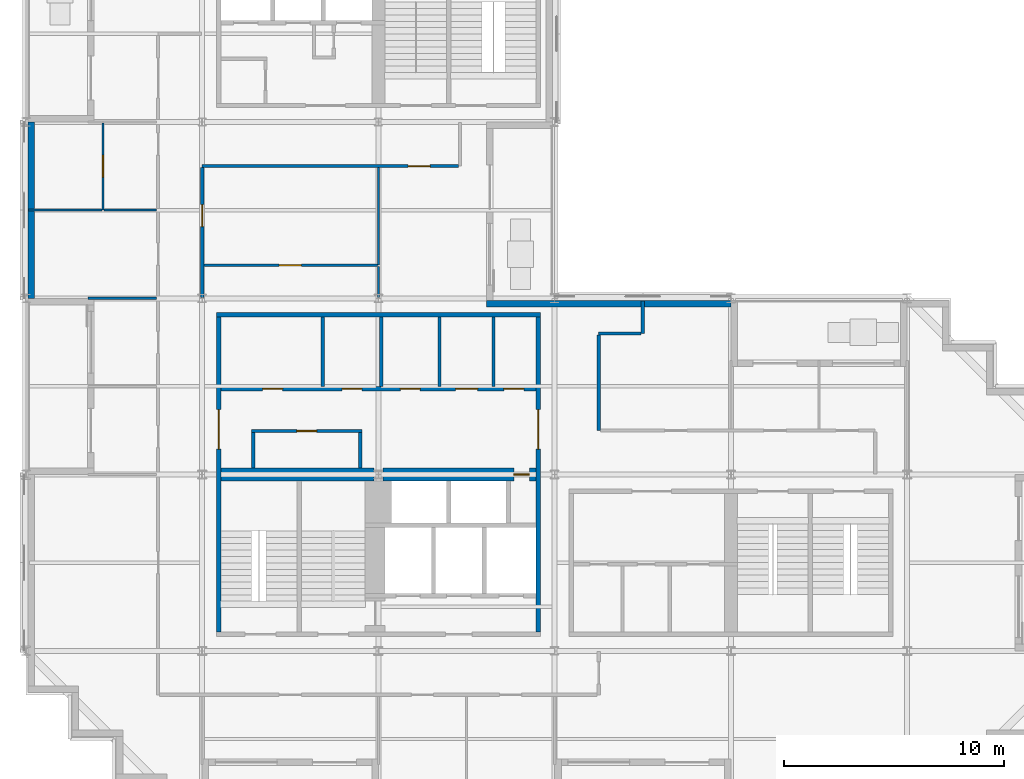
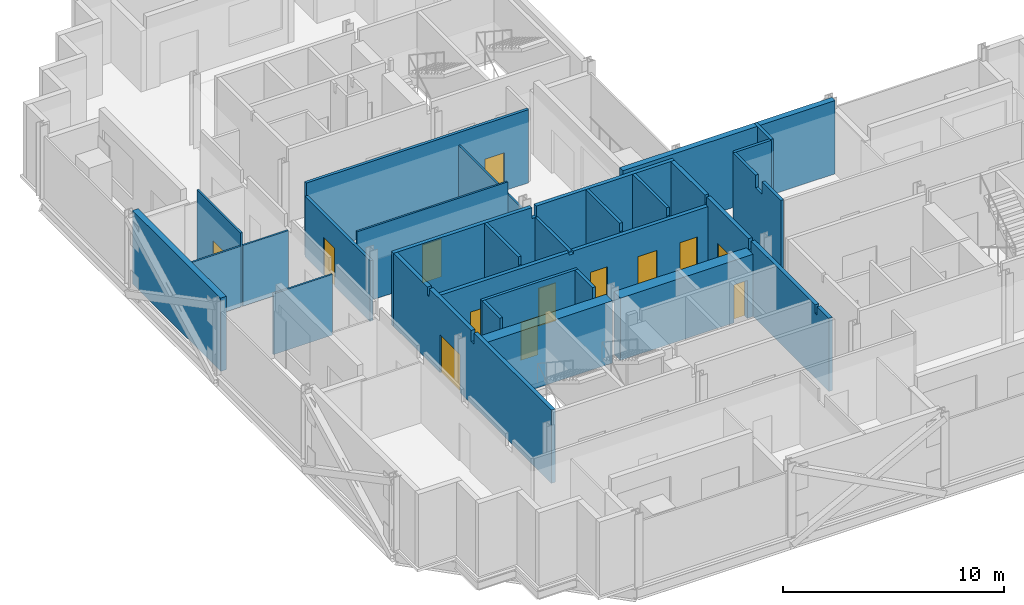
# One storey, part 6 of 12: 27 walls, 13 doors, 13 openings.
"""IFC4 building model written with IfcOpenShell, lengths in metres."""

from ifc_helpers import new_model, si_unit, direction, frame, frame_2d, origin, place, context, subcontext, project, spatial, polyline, rectangle, outline, extrude, material, layer, layer_set, type_object, element, fill, save


model = new_model("IFC4")

# Units and contexts
model_context = context("Model", 3, precision=1e-05, world=origin(), true_north=direction((0.0, 1.0)))
body_context = subcontext(model_context, "Body", "Model", "MODEL_VIEW")
ifc_project = project(units=[si_unit("LENGTHUNIT", "METRE"), si_unit("AREAUNIT", "SQUARE_METRE"), si_unit("VOLUMEUNIT", "CUBIC_METRE"), si_unit("PLANEANGLEUNIT", "RADIAN"), si_unit("MASSUNIT", "GRAM", prefix="KILO")], contexts=[model_context])

# Site, building, storey
site_placement = place(None, origin())
site = spatial("IfcSite", under=ifc_project, at=site_placement, CompositionType="ELEMENT")
building_placement = place(site_placement, origin())
building = spatial("IfcBuilding", under=site, at=building_placement, Name="Immortelle Media Tower", CompositionType="ELEMENT")
storey_placement = place(building_placement, frame((0.0, 0.0, 153.60009765625)))
storey = spatial("IfcBuildingStorey", under=building, at=storey_placement, Name="L31", CompositionType="ELEMENT", Elevation=153.60009765625)

# Wall, opening, door
ifc_material_1 = material(Name="Fire-rated masonry blockwork", Category="masonry")
ifc_layer_1 = layer(ifc_material_1, 0.60009765625)
ifc_layer_set_1 = layer_set([ifc_layer_1], Name="Fire-rated masonry blockwork")
wall_type_1 = type_object("IfcWallType", Name="Core grid-line wall 600", PredefinedType="PARTITIONING", material=ifc_layer_set_1)
wall_1_placement = place(storey_placement, frame((16.20947265625, 16.0, 0.0), z_axis=(0.0, 0.0, 1.0), x_axis=(1.0, 0.0, 0.0)))
wall_1 = element("IfcWall", 1, at=wall_1_placement, inside=storey, type_object=wall_type_1, Name="Core grid-line wall SW", PredefinedType="PARTITIONING", context=body_context, shape_type="SweptSolid", body=[
    extrude(rectangle(XDim=6.9404296875, YDim=0.60009765625, at=frame_2d((3.47021484375, 0.0))), origin(), (0.0, 0.0, 1.0), 3.44189453125),
])
opening_1_placement = place(wall_1_placement, frame((6.640380859375, 0.0, 0.0), z_axis=(0.0, 0.0, 1.0), x_axis=(-1.0, 0.0, 0.0)))
opening_1 = element("IfcOpeningElement", 2, at=opening_1_placement, cuts=wall_1, Name="Opening C3-K015", PredefinedType="OPENING", context=body_context, shape_type="SweptSolid", body=[
    extrude(rectangle(XDim=0.699951171875, YDim=2.10009765625, at=frame_2d((0.35009765625, 1.050048828125))), frame((0.0, 0.31005859375, 0.0), z_axis=(0.0, -1.0, 0.0), x_axis=(1.0, 0.0, 0.0)), (0.0, 0.0, 1.0), 0.6201171875),
])
ifc_material_2 = material(Name="Galvanised steel door leaf and frame ASTM A653", Category="steel")
door_type_1 = type_object("IfcDoorType", Name="Service door 700 x 2100", OperationType="NOTDEFINED", PredefinedType="NOTDEFINED", material=ifc_material_2)
door_1_placement = place(opening_1_placement, origin())
door_1 = element("IfcDoor", 3, at=door_1_placement, inside=storey, type_object=door_type_1, Name="Service C3-K015", OperationType="SINGLE_SWING_RIGHT", OverallHeight=2.10009765625, OverallWidth=0.699951171875, PredefinedType="NOTDEFINED", context=body_context, shape_type="SweptSolid", body=[
    extrude(rectangle(XDim=0.699951171875, YDim=2.10009765625, at=frame_2d((0.35009765625, 1.050048828125))), frame((0.0, 0.02490234375, 0.0), z_axis=(0.0, -1.0, 0.0), x_axis=(1.0, 0.0, 0.0)), (0.0, 0.0, 1.0), 0.050048828125),
])
fill(opening_1, door_1)

# Wall
ifc_material_3 = material(Name="Fire-rated gypsum board", Category="gypsum")
ifc_layer_2 = layer(ifc_material_3, 0.02490234375)
ifc_material_4 = material(Name="Steel ASTM A653 SS Gr 50 stud frame with mineral wool", Category="steel")
ifc_layer_3 = layer(ifc_material_4, 0.10009765625)
ifc_layer_4 = layer(ifc_material_3, 0.02490234375)
ifc_layer_set_2 = layer_set([ifc_layer_2, ifc_layer_3, ifc_layer_4], Name="Steel ASTM A653 SS Gr 50 stud frame with mineral wool")
wall_type_2 = type_object("IfcWallType", Name="Core partition 150", PredefinedType="PARTITIONING", material=ifc_layer_set_2)
wall_2_placement = place(storey_placement, frame((10.324951171875, 16.300048828125, 0.0), z_axis=(0.0, 0.0, 1.0), x_axis=(0.0, 1.0, 0.0)))
element("IfcWall", 4, at=wall_2_placement, inside=storey, type_object=wall_type_2, Name="Core partition SW", PredefinedType="PARTITIONING", context=body_context, shape_type="SweptSolid", body=[
    extrude(rectangle(XDim=1.599853515625, YDim=0.14990234375, at=frame_2d((0.7998046875, 0.0))), origin(), (0.0, 0.0, 1.0), 4.0498046875),
])

# Wall, opening, door
wall_3_placement = place(storey_placement, frame((10.25, 17.97509765625, 0.0), z_axis=(0.0, 0.0, 1.0), x_axis=(1.0, 0.0, 0.0)))
wall_3 = element("IfcWall", 5, at=wall_3_placement, inside=storey, type_object=wall_type_2, Name="Core partition SW", PredefinedType="PARTITIONING", context=body_context, shape_type="SweptSolid", body=[
    extrude(rectangle(XDim=5.0, YDim=0.14990234375, at=frame_2d((2.5, 0.0))), origin(), (0.0, 0.0, 1.0), 4.0498046875),
])
opening_2_placement = place(wall_3_placement, frame((2.949951171875, 0.0, 0.0), z_axis=(0.0, 0.0, 1.0), x_axis=(-1.0, 0.0, 0.0)))
opening_2 = element("IfcOpeningElement", 6, at=opening_2_placement, cuts=wall_3, Name="Opening C3-K004", PredefinedType="OPENING", context=body_context, shape_type="SweptSolid", body=[
    extrude(rectangle(XDim=0.89990234375, YDim=2.10009765625, at=frame_2d((0.449951171875, 1.050048828125))), frame((0.0, 0.0849609375, 0.0), z_axis=(0.0, -1.0, 0.0), x_axis=(1.0, 0.0, 0.0)), (0.0, 0.0, 1.0), 0.169921875),
])
ifc_material_5 = material(Name="Timber", Category="wood")
door_type_2 = type_object("IfcDoorType", Name="Room door 900 x 2100", OperationType="NOTDEFINED", PredefinedType="NOTDEFINED", material=ifc_material_5)
door_2_placement = place(opening_2_placement, origin())
door_2 = element("IfcDoor", 7, at=door_2_placement, inside=storey, type_object=door_type_2, Name="Room C3-K004", OperationType="SINGLE_SWING_LEFT", OverallHeight=2.10009765625, OverallWidth=0.89990234375, PredefinedType="NOTDEFINED", context=body_context, shape_type="SweptSolid", body=[
    extrude(rectangle(XDim=0.89990234375, YDim=2.10009765625, at=frame_2d((0.449951171875, 1.050048828125))), frame((0.0, 0.02490234375, 0.0), z_axis=(0.0, -1.0, 0.0), x_axis=(1.0, 0.0, 0.0)), (0.0, 0.0, 1.0), 0.050048828125),
])
fill(opening_2, door_2)

# Walls
wall_4_placement = place(storey_placement, frame((13.47509765625, 20.0, 0.0), z_axis=(0.0, 0.0, 1.0), x_axis=(0.0, 1.0, 0.0)))
element("IfcWall", 8, at=wall_4_placement, inside=storey, type_object=wall_type_2, Name="Core partition SW", PredefinedType="PARTITIONING", context=body_context, shape_type="SweptSolid", body=[
    extrude(outline(polyline([(0.0, 0.0), (3.14990234375, 0.0), (3.14990234375, 4.0498046875), (0.08154296875, 4.0498046875), (0.08056640625, 3.5888671875), (0.0, 3.5888671875), (0.0, 0.0)])), frame((0.0, 0.074951171875, 0.0), z_axis=(0.0, -1.0, 0.0), x_axis=(1.0, 0.0, 0.0)), (0.0, 0.0, 1.0), 0.14990234375),
])
wall_5_placement = place(storey_placement, frame((15.175048828125, 16.300048828125, 0.0), z_axis=(0.0, 0.0, 1.0), x_axis=(0.0, 1.0, 0.0)))
element("IfcWall", 9, at=wall_5_placement, inside=storey, type_object=wall_type_2, Name="Core partition SW", PredefinedType="PARTITIONING", context=body_context, shape_type="SweptSolid", body=[
    extrude(rectangle(XDim=1.599853515625, YDim=0.14990234375, at=frame_2d((0.7998046875, 0.0))), origin(), (0.0, 0.0, 1.0), 4.0498046875),
])
wall_6_placement = place(storey_placement, frame((16.125, 20.0, 0.0), z_axis=(0.0, 0.0, 1.0), x_axis=(0.0, 1.0, 0.0)))
element("IfcWall", 10, at=wall_6_placement, inside=storey, type_object=wall_type_2, Name="Core partition SW", PredefinedType="PARTITIONING", context=body_context, shape_type="SweptSolid", body=[
    extrude(rectangle(XDim=3.14990234375, YDim=0.14990234375, at=frame_2d((1.574951171875, 0.0))), origin(), (0.0, 0.0, 1.0), 3.44189453125),
])
for number, where, z_axis, x_axis, name in (
    (11, (18.77490234375, 20.0, 0.0), (0.0, 0.0, 1.0), (0.0, 1.0, 0.0), "Core partition SW"),
    (12, (21.22509765625, 20.0, 0.0), (0.0, 0.0, 1.0), (0.0, 1.0, 0.0), "Core partition SW"),
):
    element("IfcWall", number, at=place(storey_placement, frame(where, z_axis=z_axis, x_axis=x_axis)), inside=storey, type_object=wall_type_2, Name=name, PredefinedType="PARTITIONING", context=body_context, shape_type="SweptSolid", body=[
        extrude(outline(polyline([(0.0, 0.0), (3.14990234375, 0.0), (3.14990234375, 4.0498046875), (0.08154296875, 4.0498046875), (0.08056640625, 3.5888671875), (0.0, 3.5888671875), (0.0, 0.0)])), frame((0.0, 0.074951171875, 0.0), z_axis=(0.0, -1.0, 0.0), x_axis=(1.0, 0.0, 0.0)), (0.0, 0.0, 1.0), 0.14990234375),
    ])
ifc_layer_5 = layer(ifc_material_3, 0.03759765625)
ifc_layer_6 = layer(ifc_material_4, 0.125)
ifc_layer_7 = layer(ifc_material_3, 0.03759765625)
ifc_layer_set_3 = layer_set([ifc_layer_5, ifc_layer_6, ifc_layer_7], Name="Steel ASTM A653 SS Gr 50 stud frame with mineral wool")
wall_type_3 = type_object("IfcWallType", Name="Core shaft wall 200", PredefinedType="PARTITIONING", material=ifc_layer_set_3)
wall_7_placement = place(storey_placement, frame((8.64990234375, 23.25, 0.0), z_axis=(0.0, 0.0, 1.0), x_axis=(1.0, 0.0, 0.0)))
element("IfcWall", 13, at=wall_7_placement, inside=storey, type_object=wall_type_3, Name="Core shaft wall SW", PredefinedType="PARTITIONING", context=body_context, shape_type="SweptSolid", body=[
    extrude(outline(polyline([(0.0, 0.0), (14.7001953125, 0.0), (14.699951171875, 4.0498046875), (7.468994140625, 4.0498046875), (7.468017578125, 3.44189453125), (7.23193359375, 3.44189453125), (7.23095703125, 4.0498046875), (0.0, 4.0498046875), (0.0, 0.0)])), frame((0.0, 0.10009765625, 0.0), z_axis=(0.0, -1.0, 0.0), x_axis=(1.0, 0.0, 0.0)), (0.0, 0.0, 1.0), 0.199951171875),
])

# Wall, openings, doors
wall_8_placement = place(storey_placement, frame((8.85009765625, 19.89990234375, 0.0), z_axis=(0.0, 0.0, 1.0), x_axis=(1.0, 0.0, 0.0)))
wall_8 = element("IfcWall", 14, at=wall_8_placement, inside=storey, type_object=wall_type_3, Name="Core shaft wall SW", PredefinedType="PARTITIONING", context=body_context, shape_type="SweptSolid", body=[
    extrude(outline(polyline([(0.0, 0.0), (14.2998046875, 0.0), (14.300048828125, 3.5888671875), (7.26904296875, 3.5888671875), (7.26806640625, 3.44189453125), (7.031982421875, 3.44189453125), (7.031005859375, 3.5888671875), (0.0, 3.5888671875), (0.0, 0.0)])), frame((0.0, 0.10009765625, 0.0), z_axis=(0.0, -1.0, 0.0), x_axis=(1.0, 0.0, 0.0)), (0.0, 0.0, 1.0), 0.199951171875),
])
opening_3_placement = place(wall_8_placement, frame((1.89990234375, 0.0, 0.0)))
opening_3 = element("IfcOpeningElement", 15, at=opening_3_placement, cuts=wall_8, Name="Opening C3-K003", PredefinedType="OPENING", context=body_context, shape_type="SweptSolid", body=[
    extrude(rectangle(XDim=0.89990234375, YDim=2.10009765625, at=frame_2d((0.449951171875, 1.050048828125))), frame((0.0, 0.10986328125, 0.0), z_axis=(0.0, -1.0, 0.0), x_axis=(1.0, 0.0, 0.0)), (0.0, 0.0, 1.0), 0.219970703125),
])
opening_4_placement = place(wall_8_placement, frame((5.5, 0.0, 0.0)))
opening_4 = element("IfcOpeningElement", 16, at=opening_4_placement, cuts=wall_8, Name="Opening C3-K006", PredefinedType="OPENING", context=body_context, shape_type="SweptSolid", body=[
    extrude(rectangle(XDim=0.89990234375, YDim=2.10009765625, at=frame_2d((0.449951171875, 1.050048828125))), frame((0.0, 0.10986328125, 0.0), z_axis=(0.0, -1.0, 0.0), x_axis=(1.0, 0.0, 0.0)), (0.0, 0.0, 1.0), 0.219970703125),
])
opening_5_placement = place(wall_8_placement, frame((8.14990234375, 0.0, 0.0)))
opening_5 = element("IfcOpeningElement", 17, at=opening_5_placement, cuts=wall_8, Name="Opening C3-K009", PredefinedType="OPENING", context=body_context, shape_type="SweptSolid", body=[
    extrude(rectangle(XDim=0.89990234375, YDim=2.10009765625, at=frame_2d((0.449951171875, 1.050048828125))), frame((0.0, 0.10986328125, 0.0), z_axis=(0.0, -1.0, 0.0), x_axis=(1.0, 0.0, 0.0)), (0.0, 0.0, 1.0), 0.219970703125),
])
opening_6_placement = place(wall_8_placement, frame((10.64990234375, 0.0, 0.0)))
opening_6 = element("IfcOpeningElement", 18, at=opening_6_placement, cuts=wall_8, Name="Opening C3-K012", PredefinedType="OPENING", context=body_context, shape_type="SweptSolid", body=[
    extrude(rectangle(XDim=1.0, YDim=2.10009765625, at=frame_2d((0.5, 1.050048828125))), frame((0.0, 0.10986328125, 0.0), z_axis=(0.0, -1.0, 0.0), x_axis=(1.0, 0.0, 0.0)), (0.0, 0.0, 1.0), 0.219970703125),
])
opening_7_placement = place(wall_8_placement, frame((12.85009765625, 0.0, 0.0)))
opening_7 = element("IfcOpeningElement", 19, at=opening_7_placement, cuts=wall_8, Name="Opening C3-K014", PredefinedType="OPENING", context=body_context, shape_type="SweptSolid", body=[
    extrude(rectangle(XDim=0.89990234375, YDim=2.10009765625, at=frame_2d((0.449951171875, 1.050048828125))), frame((0.0, 0.10986328125, 0.0), z_axis=(0.0, -1.0, 0.0), x_axis=(1.0, 0.0, 0.0)), (0.0, 0.0, 1.0), 0.219970703125),
])
door_type_3 = type_object("IfcDoorType", Name="Accessible toilet door 1000 x 2100", OperationType="NOTDEFINED", PredefinedType="NOTDEFINED", material=ifc_material_5)
door_3_placement = place(opening_6_placement, origin())
door_3 = element("IfcDoor", 20, at=door_3_placement, inside=storey, type_object=door_type_3, Name="Accessible toilet C3-K012", OperationType="SINGLE_SWING_LEFT", OverallHeight=2.10009765625, OverallWidth=1.0, PredefinedType="NOTDEFINED", context=body_context, shape_type="SweptSolid", body=[
    extrude(rectangle(XDim=1.0, YDim=2.10009765625, at=frame_2d((0.5, 1.050048828125))), frame((0.0, 0.02490234375, 0.0), z_axis=(0.0, -1.0, 0.0), x_axis=(1.0, 0.0, 0.0)), (0.0, 0.0, 1.0), 0.050048828125),
])
fill(opening_6, door_3)
door_4_placement = place(opening_3_placement, origin())
door_4 = element("IfcDoor", 21, at=door_4_placement, inside=storey, type_object=door_type_2, Name="Room C3-K003", OperationType="SINGLE_SWING_LEFT", OverallHeight=2.10009765625, OverallWidth=0.89990234375, PredefinedType="NOTDEFINED", context=body_context, shape_type="SweptSolid", body=[
    extrude(rectangle(XDim=0.89990234375, YDim=2.10009765625, at=frame_2d((0.449951171875, 1.050048828125))), frame((0.0, 0.02490234375, 0.0), z_axis=(0.0, -1.0, 0.0), x_axis=(1.0, 0.0, 0.0)), (0.0, 0.0, 1.0), 0.050048828125),
])
fill(opening_3, door_4)
door_5_placement = place(opening_7_placement, origin())
door_5 = element("IfcDoor", 22, at=door_5_placement, inside=storey, type_object=door_type_2, Name="Room C3-K014", OperationType="SINGLE_SWING_LEFT", OverallHeight=2.10009765625, OverallWidth=0.89990234375, PredefinedType="NOTDEFINED", context=body_context, shape_type="SweptSolid", body=[
    extrude(rectangle(XDim=0.89990234375, YDim=2.10009765625, at=frame_2d((0.449951171875, 1.050048828125))), frame((0.0, 0.02490234375, 0.0), z_axis=(0.0, -1.0, 0.0), x_axis=(1.0, 0.0, 0.0)), (0.0, 0.0, 1.0), 0.050048828125),
])
fill(opening_7, door_5)
door_type_4 = type_object("IfcDoorType", Name="Toilet door 900 x 2100", OperationType="NOTDEFINED", PredefinedType="NOTDEFINED", material=ifc_material_5)
door_6_placement = place(opening_4_placement, origin())
door_6 = element("IfcDoor", 23, at=door_6_placement, inside=storey, type_object=door_type_4, Name="Toilet C3-K006", OperationType="SINGLE_SWING_RIGHT", OverallHeight=2.10009765625, OverallWidth=0.89990234375, PredefinedType="NOTDEFINED", context=body_context, shape_type="SweptSolid", body=[
    extrude(rectangle(XDim=0.89990234375, YDim=2.10009765625, at=frame_2d((0.449951171875, 1.050048828125))), frame((0.0, 0.02490234375, 0.0), z_axis=(0.0, -1.0, 0.0), x_axis=(1.0, 0.0, 0.0)), (0.0, 0.0, 1.0), 0.050048828125),
])
fill(opening_4, door_6)
door_7_placement = place(opening_5_placement, origin())
door_7 = element("IfcDoor", 24, at=door_7_placement, inside=storey, type_object=door_type_4, Name="Toilet C3-K009", OperationType="SINGLE_SWING_RIGHT", OverallHeight=2.10009765625, OverallWidth=0.89990234375, PredefinedType="NOTDEFINED", context=body_context, shape_type="SweptSolid", body=[
    extrude(rectangle(XDim=0.89990234375, YDim=2.10009765625, at=frame_2d((0.449951171875, 1.050048828125))), frame((0.0, 0.02490234375, 0.0), z_axis=(0.0, -1.0, 0.0), x_axis=(1.0, 0.0, 0.0)), (0.0, 0.0, 1.0), 0.050048828125),
])
fill(opening_5, door_7)

# Wall, opening, door
wall_9_placement = place(storey_placement, frame((23.25, 8.85009765625, 0.0), z_axis=(0.0, 0.0, 1.0), x_axis=(0.0, 1.0, 0.0)))
wall_9 = element("IfcWall", 25, at=wall_9_placement, inside=storey, type_object=wall_type_3, Name="Core shaft wall SW", PredefinedType="PARTITIONING", context=body_context, shape_type="SweptSolid", body=[
    extrude(outline(polyline([(0.0, 0.0), (14.2998046875, 0.0), (14.300048828125, 4.0498046875), (11.2314453125, 4.0498046875), (11.23046875, 3.5888671875), (11.069580078125, 3.5888671875), (11.068603515625, 4.0498046875), (7.26904296875, 4.0498046875), (7.26806640625, 3.44189453125), (7.031982421875, 3.44189453125), (7.031005859375, 4.0498046875), (1.2314453125, 4.0498046875), (1.23046875, 3.5888671875), (1.069580078125, 3.5888671875), (1.068603515625, 4.0498046875), (0.0, 4.0498046875), (0.0, 0.0)])), frame((0.0, 0.10009765625, 0.0), z_axis=(0.0, -1.0, 0.0), x_axis=(1.0, 0.0, 0.0)), (0.0, 0.0, 1.0), 0.199951171875),
])
opening_8_placement = place(wall_9_placement, frame((8.300048828125, 0.0, 0.0)))
opening_8 = element("IfcOpeningElement", 26, at=opening_8_placement, cuts=wall_9, Name="Opening C3-K016", PredefinedType="OPENING", context=body_context, shape_type="SweptSolid", body=[
    extrude(rectangle(XDim=1.800048828125, YDim=2.10009765625, at=frame_2d((0.89990234375, 1.050048828125))), frame((0.0, 0.10986328125, 0.0), z_axis=(0.0, -1.0, 0.0), x_axis=(1.0, 0.0, 0.0)), (0.0, 0.0, 1.0), 0.219970703125),
])
door_type_5 = type_object("IfcDoorType", Name="Lift lobby door 1800 x 2100", OperationType="DOUBLE_DOOR_SINGLE_SWING", PredefinedType="NOTDEFINED", material=ifc_material_2)
door_8_placement = place(opening_8_placement, origin())
door_8 = element("IfcDoor", 27, at=door_8_placement, inside=storey, type_object=door_type_5, Name="Lift lobby C3-K016", OperationType="DOUBLE_DOOR_SINGLE_SWING", OverallHeight=2.10009765625, OverallWidth=1.800048828125, PredefinedType="NOTDEFINED", context=body_context, shape_type="SweptSolid", body=[
    extrude(rectangle(XDim=1.800048828125, YDim=2.10009765625, at=frame_2d((0.89990234375, 1.050048828125))), frame((0.0, 0.02490234375, 0.0), z_axis=(0.0, -1.0, 0.0), x_axis=(1.0, 0.0, 0.0)), (0.0, 0.0, 1.0), 0.050048828125),
])
fill(opening_8, door_8)

# Walls
ifc_layer_8 = layer(ifc_material_3, 0.012451171875)
ifc_layer_9 = layer(ifc_material_4, 0.125)
ifc_layer_10 = layer(ifc_material_3, 0.012451171875)
ifc_layer_set_4 = layer_set([ifc_layer_8, ifc_layer_9, ifc_layer_10], Name="Steel ASTM A653 SS Gr 50 stud frame with mineral wool")
wall_type_4 = type_object("IfcWallType", Name="Corridor wall 150", PredefinedType="PARTITIONING", material=ifc_layer_set_4)
wall_10_placement = place(storey_placement, frame((26.0, 18.0, 0.0), z_axis=(0.0, 0.0, 1.0), x_axis=(0.0, 1.0, 0.0)))
element("IfcWall", 28, at=wall_10_placement, inside=storey, type_object=wall_type_4, Name="Partition L31-012", PredefinedType="PARTITIONING", context=body_context, shape_type="SweptSolid", body=[
    extrude(outline(polyline([(0.0, 0.0), (4.324951171875, 0.0), (4.324951171875, 4.0498046875), (2.300048828125, 4.0498046875), (2.298095703125, 3.35400390625), (1.701904296875, 3.35400390625), (1.699951171875, 4.0498046875), (0.0, 4.0498046875), (0.0, 0.0)])), frame((0.0, 0.074951171875, 0.0), z_axis=(0.0, -1.0, 0.0), x_axis=(1.0, 0.0, 0.0)), (0.0, 0.0, 1.0), 0.14990234375),
])
wall_11_placement = place(storey_placement, frame((26.0, 22.39990234375, 0.0), z_axis=(0.0, 0.0, 1.0), x_axis=(1.0, 0.0, 0.0)))
element("IfcWall", 29, at=wall_11_placement, inside=storey, type_object=wall_type_4, Name="Partition L31-016", PredefinedType="PARTITIONING", context=body_context, shape_type="SweptSolid", body=[
    extrude(rectangle(XDim=1.925048828125, YDim=0.14990234375, at=frame_2d((0.96240234375, 0.0))), origin(), (0.0, 0.0, 1.0), 4.0498046875),
])
wall_12_placement = place(storey_placement, frame((28.0, 22.39990234375, 0.0), z_axis=(0.0, 0.0, 1.0), x_axis=(0.0, 1.0, 0.0)))
element("IfcWall", 30, at=wall_12_placement, inside=storey, type_object=wall_type_4, Name="Partition L31-017", PredefinedType="PARTITIONING", context=body_context, shape_type="SweptSolid", body=[
    extrude(rectangle(XDim=1.47021484375, YDim=0.14990234375, at=frame_2d((0.735107421875, 0.0))), origin(), (0.0, 0.0, 1.0), 4.0498046875),
])

# Wall, opening, door
wall_13_placement = place(storey_placement, frame((8.0, 24.030029296875, 0.0), z_axis=(0.0, 0.0, 1.0), x_axis=(0.0, 1.0, 0.0)))
wall_13 = element("IfcWall", 31, at=wall_13_placement, inside=storey, type_object=wall_type_4, Name="Partition L31-019", PredefinedType="PARTITIONING", context=body_context, shape_type="SweptSolid", body=[
    extrude(rectangle(XDim=5.89501953125, YDim=0.14990234375, at=frame_2d((2.947509765625, 0.0))), origin(), (0.0, 0.0, 1.0), 3.35400390625),
])
opening_9_placement = place(wall_13_placement, frame((4.219970703125, 0.0, 0.0), z_axis=(0.0, 0.0, 1.0), x_axis=(-1.0, 0.0, 0.0)))
opening_9 = element("IfcOpeningElement", 32, at=opening_9_placement, cuts=wall_13, Name="Opening C3-F011", PredefinedType="OPENING", context=body_context, shape_type="SweptSolid", body=[
    extrude(rectangle(XDim=1.0, YDim=2.10009765625, at=frame_2d((0.5, 1.050048828125))), frame((0.0, 0.0849609375, 0.0), z_axis=(0.0, -1.0, 0.0), x_axis=(1.0, 0.0, 0.0)), (0.0, 0.0, 1.0), 0.169921875),
])
ifc_material_6 = material(Name="Timber veneered door leaf, galvanised steel frame ASTM A653", Category="steel")
door_type_6 = type_object("IfcDoorType", Name="Room door 1000 x 2100", OperationType="NOTDEFINED", PredefinedType="DOOR", material=ifc_material_6)
door_9_placement = place(opening_9_placement, origin())
door_9 = element("IfcDoor", 33, at=door_9_placement, inside=storey, type_object=door_type_6, Name="Door C3-F011", OperationType="SINGLE_SWING_LEFT", OverallHeight=2.10009765625, OverallWidth=1.0, PredefinedType="DOOR", context=body_context, shape_type="SweptSolid", body=[
    extrude(rectangle(XDim=1.0, YDim=2.10009765625, at=frame_2d((0.5, 1.050048828125))), frame((0.0, 0.02490234375, 0.0), z_axis=(0.0, -1.0, 0.0), x_axis=(1.0, 0.0, 0.0)), (0.0, 0.0, 1.0), 0.050048828125),
])
fill(opening_9, door_9)

wall_14_placement = place(storey_placement, frame((8.0, 30.0, 0.0), z_axis=(0.0, 0.0, 1.0), x_axis=(1.0, 0.0, 0.0)))
wall_14 = element("IfcWall", 34, at=wall_14_placement, inside=storey, type_object=wall_type_4, Name="Partition L31-026", PredefinedType="PARTITIONING", context=body_context, shape_type="SweptSolid", body=[
    extrude(rectangle(XDim=11.625, YDim=0.14990234375, at=frame_2d((5.8125, 0.0))), origin(), (0.0, 0.0, 1.0), 4.0498046875),
])
opening_10_placement = place(wall_14_placement, frame((10.35009765625, 0.0, 0.0), z_axis=(0.0, 0.0, 1.0), x_axis=(-1.0, 0.0, 0.0)))
opening_10 = element("IfcOpeningElement", 35, at=opening_10_placement, cuts=wall_14, Name="Opening C3-F013", PredefinedType="OPENING", context=body_context, shape_type="SweptSolid", body=[
    extrude(rectangle(XDim=1.0, YDim=2.10009765625, at=frame_2d((0.5, 1.050048828125))), frame((0.0, 0.0849609375, 0.0), z_axis=(0.0, -1.0, 0.0), x_axis=(1.0, 0.0, 0.0)), (0.0, 0.0, 1.0), 0.169921875),
])
door_10_placement = place(opening_10_placement, origin())
door_10 = element("IfcDoor", 36, at=door_10_placement, inside=storey, type_object=door_type_6, Name="Door C3-F013", OperationType="SINGLE_SWING_RIGHT", OverallHeight=2.10009765625, OverallWidth=1.0, PredefinedType="DOOR", context=body_context, shape_type="SweptSolid", body=[
    extrude(rectangle(XDim=1.0, YDim=2.10009765625, at=frame_2d((0.5, 1.050048828125))), frame((0.0, 0.02490234375, 0.0), z_axis=(0.0, -1.0, 0.0), x_axis=(1.0, 0.0, 0.0)), (0.0, 0.0, 1.0), 0.050048828125),
])
fill(opening_10, door_10)

# Walls
ifc_material_7 = material(Name="Pale aluminium cladding panel", Category="aluminium")
ifc_layer_11 = layer(ifc_material_7, 0.030029296875)
ifc_layer_12 = layer(ifc_material_4, 0.257568359375)
ifc_material_8 = material(Name="Moisture-resistant gypsum board", Category="gypsum")
ifc_layer_13 = layer(ifc_material_8, 0.012451171875)
ifc_layer_set_5 = layer_set([ifc_layer_11, ifc_layer_12, ifc_layer_13], Name="Steel ASTM A653 SS Gr 50 stud frame with mineral wool")
wall_type_5 = type_object("IfcWallType", Name="Facade wall 300", PredefinedType="SOLIDWALL", material=ifc_layer_set_5)
wall_15_placement = place(storey_placement, frame((32.0, 23.75, 0.0), z_axis=(0.0, 0.0, 1.0), x_axis=(-1.0, 0.0, 0.0)))
element("IfcWall", 37, at=wall_15_placement, inside=storey, type_object=wall_type_5, Name="Facade wall L31 N20", PredefinedType="SOLIDWALL", context=body_context, shape_type="SweptSolid", body=[
    extrude(rectangle(XDim=11.10009765625, YDim=0.300048828125, at=frame_2d((5.550048828125, 0.0))), origin(), (0.0, 0.0, 1.0), 4.0498046875),
])
wall_16_placement = place(storey_placement, frame((0.25, 32.0, 0.0), z_axis=(0.0, 0.0, 1.0), x_axis=(0.0, -1.0, 0.0)))
element("IfcWall", 38, at=wall_16_placement, inside=storey, type_object=wall_type_5, Name="Facade wall L31 W35", PredefinedType="SOLIDWALL", context=body_context, shape_type="SweptSolid", body=[
    extrude(rectangle(XDim=8.0, YDim=0.300048828125, at=frame_2d((4.0, 0.0))), origin(), (0.0, 0.0, 1.0), 4.0498046875),
])
ifc_material_9 = material(Name="Gypsum board", Category="gypsum")
ifc_layer_14 = layer(ifc_material_9, 0.012451171875)
ifc_layer_15 = layer(ifc_material_4, 0.074951171875)
ifc_layer_16 = layer(ifc_material_9, 0.012451171875)
ifc_layer_set_6 = layer_set([ifc_layer_14, ifc_layer_15, ifc_layer_16], Name="Steel ASTM A653 SS Gr 50 stud frame with mineral wool")
wall_type_6 = type_object("IfcWallType", Name="Partition 100", PredefinedType="PARTITIONING", material=ifc_layer_set_6)
wall_17_placement = place(storey_placement, frame((2.830078125, 24.0, 0.0), z_axis=(0.0, 0.0, 1.0), x_axis=(1.0, 0.0, 0.0)))
element("IfcWall", 39, at=wall_17_placement, inside=storey, type_object=wall_type_6, Name="Partition L31-018", PredefinedType="PARTITIONING", context=body_context, shape_type="SweptSolid", body=[
    extrude(rectangle(XDim=3.094970703125, YDim=0.10009765625, at=frame_2d((1.54736328125, 0.0))), origin(), (0.0, 0.0, 1.0), 3.35400390625),
])
wall_18_placement = place(storey_placement, frame((16.0, 24.030029296875, 0.0), z_axis=(0.0, 0.0, 1.0), x_axis=(0.0, 1.0, 0.0)))
element("IfcWall", 40, at=wall_18_placement, inside=storey, type_object=wall_type_6, Name="Partition L31-020", PredefinedType="PARTITIONING", context=body_context, shape_type="SweptSolid", body=[
    extrude(rectangle(XDim=1.419921875, YDim=0.10009765625, at=frame_2d((0.7099609375, 0.0))), origin(), (0.0, 0.0, 1.0), 3.35400390625),
])

# Wall, opening, door
wall_19_placement = place(storey_placement, frame((8.074951171875, 25.5, 0.0), z_axis=(0.0, 0.0, 1.0), x_axis=(1.0, 0.0, 0.0)))
wall_19 = element("IfcWall", 41, at=wall_19_placement, inside=storey, type_object=wall_type_6, Name="Partition L31-021", PredefinedType="PARTITIONING", context=body_context, shape_type="SweptSolid", body=[
    extrude(rectangle(XDim=7.875, YDim=0.10009765625, at=frame_2d((3.9375, 0.0))), origin(), (0.0, 0.0, 1.0), 4.0498046875),
])
opening_11_placement = place(wall_19_placement, frame((4.425048828125, 0.0, 0.0), z_axis=(0.0, 0.0, 1.0), x_axis=(-1.0, 0.0, 0.0)))
opening_11 = element("IfcOpeningElement", 42, at=opening_11_placement, cuts=wall_19, Name="Opening C3-F012", PredefinedType="OPENING", context=body_context, shape_type="SweptSolid", body=[
    extrude(rectangle(XDim=1.0, YDim=2.10009765625, at=frame_2d((0.5, 1.050048828125))), frame((0.0, 0.06005859375, 0.0), z_axis=(0.0, -1.0, 0.0), x_axis=(1.0, 0.0, 0.0)), (0.0, 0.0, 1.0), 0.1201171875),
])
door_11_placement = place(opening_11_placement, origin())
door_11 = element("IfcDoor", 43, at=door_11_placement, inside=storey, type_object=door_type_6, Name="Door C3-F012", OperationType="SINGLE_SWING_RIGHT", OverallHeight=2.10009765625, OverallWidth=1.0, PredefinedType="DOOR", context=body_context, shape_type="SweptSolid", body=[
    extrude(rectangle(XDim=1.0, YDim=2.10009765625, at=frame_2d((0.5, 1.050048828125))), frame((0.0, 0.02490234375, 0.0), z_axis=(0.0, -1.0, 0.0), x_axis=(1.0, 0.0, 0.0)), (0.0, 0.0, 1.0), 0.050048828125),
])
fill(opening_11, door_11)

# Walls
wall_20_placement = place(storey_placement, frame((16.0, 25.5, 0.0), z_axis=(0.0, 0.0, 1.0), x_axis=(0.0, 1.0, 0.0)))
element("IfcWall", 44, at=wall_20_placement, inside=storey, type_object=wall_type_6, Name="Partition L31-022", PredefinedType="PARTITIONING", context=body_context, shape_type="SweptSolid", body=[
    extrude(rectangle(XDim=4.425048828125, YDim=0.10009765625, at=frame_2d((2.21240234375, 0.0))), origin(), (0.0, 0.0, 1.0), 3.35400390625),
])
wall_21_placement = place(storey_placement, frame((0.1298828125, 28.0, 0.0), z_axis=(0.0, 0.0, 1.0), x_axis=(1.0, 0.0, 0.0)))
element("IfcWall", 45, at=wall_21_placement, inside=storey, type_object=wall_type_6, Name="Partition L31-023", PredefinedType="PARTITIONING", context=body_context, shape_type="SweptSolid", body=[
    extrude(rectangle(XDim=3.320068359375, YDim=0.10009765625, at=frame_2d((1.66015625, 0.0))), origin(), (0.0, 0.0, 1.0), 3.35400390625),
])
wall_22_placement = place(storey_placement, frame((3.550048828125, 28.0, 0.0), z_axis=(0.0, 0.0, 1.0), x_axis=(1.0, 0.0, 0.0)))
element("IfcWall", 46, at=wall_22_placement, inside=storey, type_object=wall_type_6, Name="Partition L31-024", PredefinedType="PARTITIONING", context=body_context, shape_type="SweptSolid", body=[
    extrude(rectangle(XDim=2.375, YDim=0.10009765625, at=frame_2d((1.1875, 0.0))), origin(), (0.0, 0.0, 1.0), 3.35400390625),
])

# Wall, opening, door
wall_23_placement = place(storey_placement, frame((3.5, 28.0, 0.0), z_axis=(0.0, 0.0, 1.0), x_axis=(0.0, 1.0, 0.0)))
wall_23 = element("IfcWall", 47, at=wall_23_placement, inside=storey, type_object=wall_type_6, Name="Partition L31-025", PredefinedType="PARTITIONING", context=body_context, shape_type="SweptSolid", body=[
    extrude(rectangle(XDim=3.949951171875, YDim=0.10009765625, at=frame_2d((1.97509765625, 0.0))), origin(), (0.0, 0.0, 1.0), 4.0498046875),
])
opening_12_placement = place(wall_23_placement, frame((1.5, 0.0, 0.0)))
opening_12 = element("IfcOpeningElement", 48, at=opening_12_placement, cuts=wall_23, Name="Opening C3-F016", PredefinedType="OPENING", context=body_context, shape_type="SweptSolid", body=[
    extrude(rectangle(XDim=1.0, YDim=2.10009765625, at=frame_2d((0.5, 1.050048828125))), frame((0.0, 0.06005859375, 0.0), z_axis=(0.0, -1.0, 0.0), x_axis=(1.0, 0.0, 0.0)), (0.0, 0.0, 1.0), 0.1201171875),
])
door_12_placement = place(opening_12_placement, origin())
door_12 = element("IfcDoor", 49, at=door_12_placement, inside=storey, type_object=door_type_6, Name="Door C3-F016", OperationType="SINGLE_SWING_RIGHT", OverallHeight=2.10009765625, OverallWidth=1.0, PredefinedType="DOOR", context=body_context, shape_type="SweptSolid", body=[
    extrude(rectangle(XDim=1.0, YDim=2.10009765625, at=frame_2d((0.5, 1.050048828125))), frame((0.0, 0.02490234375, 0.0), z_axis=(0.0, -1.0, 0.0), x_axis=(1.0, 0.0, 0.0)), (0.0, 0.0, 1.0), 0.050048828125),
])
fill(opening_12, door_12)

ifc_material_10 = material(Name="Concrete C60", Category="concrete")
ifc_layer_17 = layer(ifc_material_10, 0.199951171875)
ifc_layer_set_7 = layer_set([ifc_layer_17], Name="Concrete C60")
wall_type_7 = type_object("IfcWallType", Name="Stair shaft wall 200", PredefinedType="PARTITIONING", material=ifc_layer_set_7)
wall_24_placement = place(storey_placement, frame((8.75, 8.85009765625, 0.0), z_axis=(0.0, 0.0, 1.0), x_axis=(0.0, 1.0, 0.0)))
wall_24 = element("IfcWall", 50, at=wall_24_placement, inside=storey, type_object=wall_type_7, Name="Stair shaft wall SW", PredefinedType="PARTITIONING", context=body_context, shape_type="SweptSolid", body=[
    extrude(outline(polyline([(0.0, 0.0), (14.2998046875, 0.0), (14.300048828125, 4.0498046875), (11.2314453125, 4.0498046875), (11.23046875, 3.5888671875), (11.069580078125, 3.5888671875), (11.068603515625, 4.0498046875), (7.26904296875, 4.0498046875), (7.26806640625, 3.44189453125), (7.031982421875, 3.44189453125), (7.031005859375, 4.0498046875), (0.0, 4.0498046875), (0.0, 0.0)])), frame((0.0, 0.10009765625, 0.0), z_axis=(0.0, -1.0, 0.0), x_axis=(1.0, 0.0, 0.0)), (0.0, 0.0, 1.0), 0.199951171875),
])
opening_13_placement = place(wall_24_placement, frame((8.300048828125, 0.0, 0.0)))
opening_13 = element("IfcOpeningElement", 51, at=opening_13_placement, cuts=wall_24, Name="Opening C3-K001", PredefinedType="OPENING", context=body_context, shape_type="SweptSolid", body=[
    extrude(rectangle(XDim=1.800048828125, YDim=2.10009765625, at=frame_2d((0.89990234375, 1.050048828125))), frame((0.0, 0.10986328125, 0.0), z_axis=(0.0, -1.0, 0.0), x_axis=(1.0, 0.0, 0.0)), (0.0, 0.0, 1.0), 0.219970703125),
])
door_13_placement = place(opening_13_placement, origin())
door_13 = element("IfcDoor", 52, at=door_13_placement, inside=storey, type_object=door_type_5, Name="Lift lobby C3-K001", OperationType="DOUBLE_DOOR_SINGLE_SWING", OverallHeight=2.10009765625, OverallWidth=1.800048828125, PredefinedType="NOTDEFINED", context=body_context, shape_type="SweptSolid", body=[
    extrude(rectangle(XDim=1.800048828125, YDim=2.10009765625, at=frame_2d((0.89990234375, 1.050048828125))), frame((0.0, 0.02490234375, 0.0), z_axis=(0.0, -1.0, 0.0), x_axis=(1.0, 0.0, 0.0)), (0.0, 0.0, 1.0), 0.050048828125),
])
fill(opening_13, door_13)

# Wall
ifc_layer_18 = layer(ifc_material_10, 0.60009765625)
ifc_layer_set_8 = layer_set([ifc_layer_18], Name="Concrete C60")
wall_type_8 = type_object("IfcWallType", Name="Stair shaft wall 600", PredefinedType="PARTITIONING", material=ifc_layer_set_8)
wall_25_placement = place(storey_placement, frame((8.85009765625, 16.0, 0.0), z_axis=(0.0, 0.0, 1.0), x_axis=(1.0, 0.0, 0.0)))
element("IfcWall", 53, at=wall_25_placement, inside=storey, type_object=wall_type_8, Name="Stair shaft wall SW", PredefinedType="PARTITIONING", context=body_context, shape_type="SweptSolid", body=[
    extrude(rectangle(XDim=6.9404296875, YDim=0.60009765625, at=frame_2d((3.47021484375, 0.0))), origin(), (0.0, 0.0, 1.0), 3.44189453125),
])

save(model, "model.ifc")
